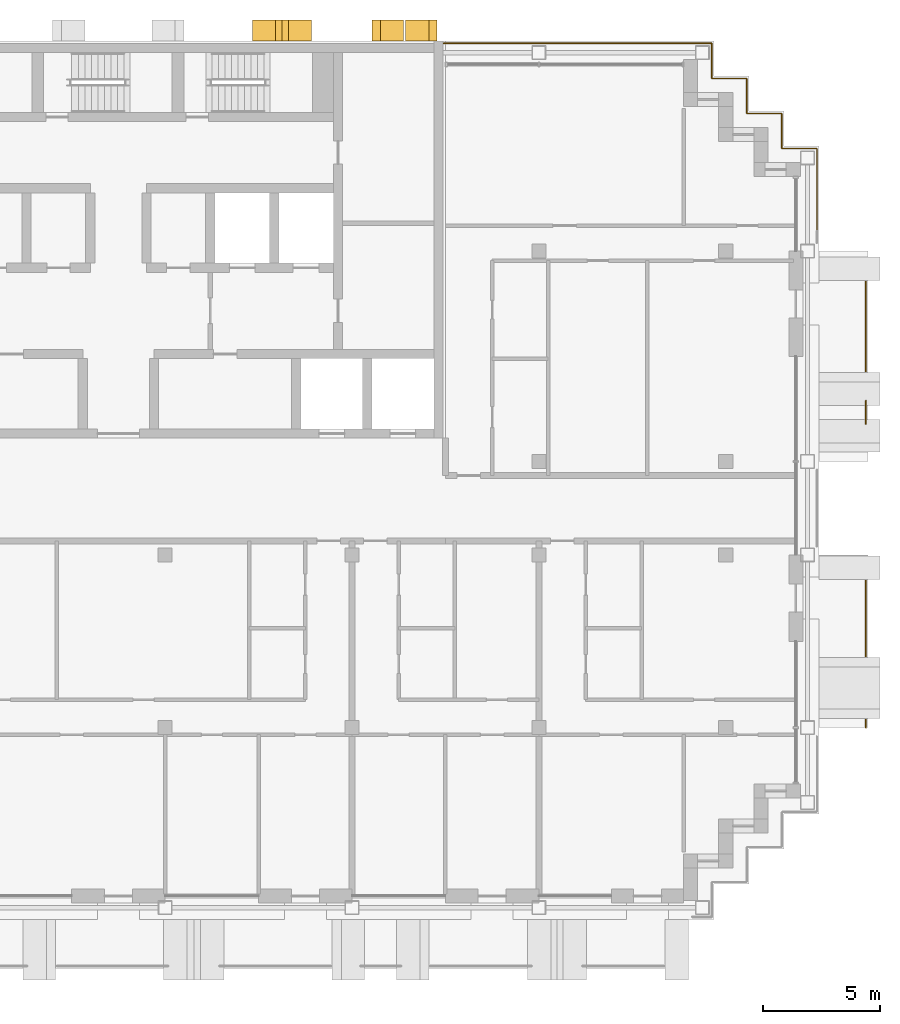
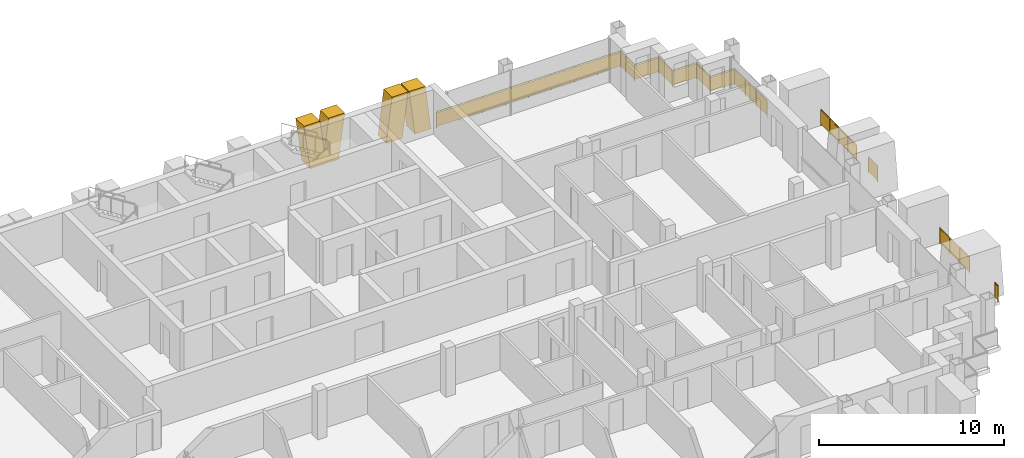
# One storey, part 15 of 15: 6 railings, 3 shading devices.
"""IFC4 building model written with IfcOpenShell, lengths in metres."""

from ifc_helpers import new_model, si_unit, direction, frame, origin, origin_2d, place, context, subcontext, project, spatial, polyline, rectangle, circle, outline, extrude, material, layer, layer_set, type_object, element, save


model = new_model("IFC4")

# Units and contexts
model_context = context("Model", 3, precision=1e-05, world=origin(), true_north=direction((0.0, 1.0)))
body_context = subcontext(model_context, "Body", "Model", "MODEL_VIEW")
ifc_project = project(units=[si_unit("LENGTHUNIT", "METRE"), si_unit("AREAUNIT", "SQUARE_METRE"), si_unit("VOLUMEUNIT", "CUBIC_METRE"), si_unit("PLANEANGLEUNIT", "RADIAN"), si_unit("MASSUNIT", "GRAM", prefix="KILO")], contexts=[model_context])

# Site, building, storey
site_placement = place(None, origin())
site = spatial("IfcSite", under=ifc_project, at=site_placement, CompositionType="ELEMENT")
building_placement = place(site_placement, origin())
building = spatial("IfcBuilding", under=site, at=building_placement, Name="Vidyagriha Tower", CompositionType="ELEMENT")
storey_placement = place(building_placement, frame((0.0, 0.0, 210.800048828125)))
storey = spatial("IfcBuildingStorey", under=building, at=storey_placement, Name="L54", CompositionType="ELEMENT", Elevation=210.800048828125)

# Railings
ifc_material_1 = material(Name="Steel ASTM A500 Grade C black painted", Category="steel")
railing_type_1 = type_object("IfcRailingType", Name="Balcony guard 1100", PredefinedType="BALUSTRADE", material=ifc_material_1)
railing_1_placement = place(storey_placement, frame((32.0, -9.39990234375, 0.0)))
element("IfcRailing", 1, at=railing_1_placement, inside=storey, type_object=railing_type_1, Name="Balcony guard L54 R30.1-1", PredefinedType="BALUSTRADE", context=body_context, shape_type="SweptSolid", body=[
    extrude(circle(Radius=0.02490234375, at=origin_2d()), frame((0.0, 0.0, 1.0751953125), z_axis=(0.0, 1.0, 0.0), x_axis=(-1.0, 0.0, 0.0)), (0.0, 0.0, 1.0), 0.349853515625),
    extrude(circle(Radius=0.02001953125, at=origin_2d()), origin(), (0.0, 0.0, 1.0), 1.050048828125),
    extrude(circle(Radius=0.02001953125, at=origin_2d()), frame((0.0, 0.349853515625, 0.0)), (0.0, 0.0, 1.0), 1.050048828125),
    extrude(rectangle(XDim=0.010009765625, YDim=0.900146484375, at=origin_2d()), frame((0.0, 0.0, 0.550048828125), z_axis=(0.0, 1.0, 0.0), x_axis=(-1.0, 0.0, 0.0)), (0.0, 0.0, 1.0), 0.349853515625),
])
railing_2_placement = place(storey_placement, frame((32.0, -6.35009765625, 0.0)))
element("IfcRailing", 2, at=railing_2_placement, inside=storey, type_object=railing_type_1, Name="Balcony guard L54 R30.1-2", PredefinedType="BALUSTRADE", context=body_context, shape_type="SweptSolid", body=[
    extrude(circle(Radius=0.02490234375, at=origin_2d()), frame((0.0, 0.0, 1.0751953125), z_axis=(0.0, 1.0, 0.0), x_axis=(-1.0, 0.0, 0.0)), (0.0, 0.0, 1.0), 3.25),
    extrude(circle(Radius=0.02001953125, at=origin_2d()), origin(), (0.0, 0.0, 1.0), 1.050048828125),
    extrude(circle(Radius=0.02001953125, at=origin_2d()), frame((0.0, 1.083251953125, 0.0)), (0.0, 0.0, 1.0), 1.050048828125),
    extrude(circle(Radius=0.02001953125, at=origin_2d()), frame((0.0, 2.166748046875, 0.0)), (0.0, 0.0, 1.0), 1.050048828125),
    extrude(circle(Radius=0.02001953125, at=origin_2d()), frame((0.0, 3.25, 0.0)), (0.0, 0.0, 1.0), 1.050048828125),
    extrude(rectangle(XDim=0.010009765625, YDim=0.900146484375, at=origin_2d()), frame((0.0, 0.0, 0.550048828125), z_axis=(0.0, 1.0, 0.0), x_axis=(-1.0, 0.0, 0.0)), (0.0, 0.0, 1.0), 3.25),
])
railing_3_placement = place(storey_placement, frame((32.0, 3.603271484375, 0.0)))
element("IfcRailing", 3, at=railing_3_placement, inside=storey, type_object=railing_type_1, Name="Balcony guard L54 R30.2-1", PredefinedType="BALUSTRADE", context=body_context, shape_type="SweptSolid", body=[
    extrude(circle(Radius=0.02490234375, at=origin_2d()), frame((0.0, 0.0, 1.0751953125), z_axis=(0.0, 1.0, 0.0), x_axis=(-1.0, 0.0, 0.0)), (0.0, 0.0, 1.0), 0.993408203125),
    extrude(circle(Radius=0.02001953125, at=origin_2d()), origin(), (0.0, 0.0, 1.0), 1.050048828125),
    extrude(circle(Radius=0.02001953125, at=origin_2d()), frame((0.0, 0.993408203125, 0.0)), (0.0, 0.0, 1.0), 1.050048828125),
    extrude(rectangle(XDim=0.010009765625, YDim=0.900146484375, at=origin_2d()), frame((0.0, 0.0, 0.550048828125), z_axis=(0.0, 1.0, 0.0), x_axis=(-1.0, 0.0, 0.0)), (0.0, 0.0, 1.0), 0.993408203125),
])
railing_4_placement = place(storey_placement, frame((32.0, 5.85009765625, 0.0)))
element("IfcRailing", 4, at=railing_4_placement, inside=storey, type_object=railing_type_1, Name="Balcony guard L54 R30.2-2", PredefinedType="BALUSTRADE", context=body_context, shape_type="SweptSolid", body=[
    extrude(circle(Radius=0.02490234375, at=origin_2d()), frame((0.0, 0.0, 1.0751953125), z_axis=(0.0, 1.0, 0.0), x_axis=(-1.0, 0.0, 0.0)), (0.0, 0.0, 1.0), 3.849853515625),
    extrude(circle(Radius=0.02001953125, at=origin_2d()), origin(), (0.0, 0.0, 1.0), 1.050048828125),
    extrude(circle(Radius=0.02001953125, at=origin_2d()), frame((0.0, 0.96240234375, 0.0)), (0.0, 0.0, 1.0), 1.050048828125),
    extrude(circle(Radius=0.02001953125, at=origin_2d()), frame((0.0, 1.9248046875, 0.0)), (0.0, 0.0, 1.0), 1.050048828125),
    extrude(circle(Radius=0.02001953125, at=origin_2d()), frame((0.0, 2.887451171875, 0.0)), (0.0, 0.0, 1.0), 1.050048828125),
    extrude(circle(Radius=0.02001953125, at=origin_2d()), frame((0.0, 3.849853515625, 0.0)), (0.0, 0.0, 1.0), 1.050048828125),
    extrude(rectangle(XDim=0.010009765625, YDim=0.900146484375, at=origin_2d()), frame((0.0, 0.0, 0.550048828125), z_axis=(0.0, 1.0, 0.0), x_axis=(-1.0, 0.0, 0.0)), (0.0, 0.0, 1.0), 3.849853515625),
])

# Shading devices
ifc_material_2 = material(Name="Precast concrete C40/50 with brick facing", Category="concrete")
ifc_layer_1 = layer(ifc_material_2, 1.0)
ifc_layer_set_1 = layer_set([ifc_layer_1], Name="Precast concrete C40/50 with brick facing")
shading_device_type_1 = type_object("IfcShadingDeviceType", Name="Brick-faced rear rib arm leaning 8 degrees", PredefinedType="USERDEFINED", material=ifc_layer_set_1)
shading_device_1_placement = place(storey_placement, frame((13.642822265625, 20.449951171875, 0.0), z_axis=(0.0, 0.0, 1.0), x_axis=(-1.0, 0.0, 0.0)))
element("IfcShadingDevice", 5, at=shading_device_1_placement, inside=storey, type_object=shading_device_type_1, Name="Rear rib arm L54 R08.1a", ObjectType="BLADE FIN", PredefinedType="USERDEFINED", context=body_context, shape_type="SweptSolid", body=[
    extrude(outline(polyline([(0.0, 0.0), (1.0, 0.0), (1.357177734375, 2.919921875), (0.357177734375, 2.919921875), (0.0, 0.0)])), frame((0.0, 0.449951171875, 0.0), z_axis=(0.0, -1.0, 0.0), x_axis=(1.0, 0.0, 0.0)), (0.0, 0.0, 1.0), 0.89990234375),
])
shading_device_2_placement = place(storey_placement, frame((12.21435546875, 20.449951171875, 0.0), z_axis=(0.0, 0.0, 1.0), x_axis=(-1.0, 0.0, 0.0)))
element("IfcShadingDevice", 6, at=shading_device_2_placement, inside=storey, type_object=shading_device_type_1, Name="Rear rib arm L54 R08.1b", ObjectType="BLADE FIN", PredefinedType="USERDEFINED", context=body_context, shape_type="SweptSolid", body=[
    extrude(outline(polyline([(0.357177734375, 0.0), (1.357177734375, 0.0), (1.0, 2.919921875), (0.0, 2.919921875), (0.357177734375, 0.0)])), frame((0.0, 0.449951171875, 0.0), z_axis=(0.0, -1.0, 0.0), x_axis=(1.0, 0.0, 0.0)), (0.0, 0.0, 1.0), 0.89990234375),
])
ifc_material_3 = material(Name="Precast concrete C40/50 with brick facing", Category="concrete")
ifc_layer_2 = layer(ifc_material_3, 1.0)
ifc_layer_set_2 = layer_set([ifc_layer_2], Name="Precast concrete C40/50 with brick facing")
shading_device_type_2 = type_object("IfcShadingDeviceType", Name="Brick-faced rear rib forking 8 degrees", PredefinedType="USERDEFINED", material=ifc_layer_set_2)
shading_device_3_placement = place(storey_placement, frame((8.271484375, 20.449951171875, 0.0), z_axis=(0.0, 0.0, 1.0), x_axis=(-1.0, 0.0, 0.0)))
element("IfcShadingDevice", 7, at=shading_device_3_placement, inside=storey, type_object=shading_device_type_2, Name="Rear rib fork L54 R08.2a", ObjectType="BLADE FIN", PredefinedType="USERDEFINED", context=body_context, shape_type="SweptSolid", body=[
    extrude(outline(polyline([(0.3857421875, 0.0), (2.156982421875, 0.0), (2.542724609375, 2.919921875), (1.542724609375, 2.919921875), (1.271484375, 0.865234375), (1.0, 2.919921875), (0.0, 2.919921875), (0.3857421875, 0.0)])), frame((0.0, 0.449951171875, 0.0), z_axis=(0.0, -1.0, 0.0), x_axis=(1.0, 0.0, 0.0)), (0.0, 0.0, 1.0), 0.89990234375),
])

# Railings
ifc_material_4 = material(Name="Steel ASTM A500 Grade C black painted", Category="steel")
railing_type_2 = type_object("IfcRailingType", Name="Gallery guard 1100", PredefinedType="GUARDRAIL", material=ifc_material_4)
railing_5_placement = place(storey_placement, frame((13.929931640625, 19.89990234375, 0.0)))
element("IfcRailing", 8, at=railing_5_placement, inside=storey, type_object=railing_type_2, Name="Gallery guard L54 7", PredefinedType="GUARDRAIL", context=body_context, shape_type="SweptSolid", body=[
    extrude(circle(Radius=0.02490234375, at=origin_2d()), frame((0.0, 0.0, 1.0751953125), z_axis=(1.0, 0.0, 0.0), x_axis=(0.0, 1.0, 0.0)), (0.0, 0.0, 1.0), 11.469970703125),
    extrude(circle(Radius=0.02490234375, at=origin_2d()), frame((11.469970703125, 0.0, 1.0751953125), z_axis=(0.0, -1.0, 0.0), x_axis=(1.0, 0.0, 0.0)), (0.0, 0.0, 1.0), 0.52978515625),
    extrude(circle(Radius=0.02001953125, at=origin_2d()), origin(), (0.0, 0.0, 1.0), 1.050048828125),
    extrude(circle(Radius=0.02001953125, at=origin_2d()), frame((1.433837890625, 0.0, 0.0)), (0.0, 0.0, 1.0), 1.050048828125),
    extrude(circle(Radius=0.02001953125, at=origin_2d()), frame((2.867431640625, 0.0, 0.0)), (0.0, 0.0, 1.0), 1.050048828125),
    extrude(circle(Radius=0.02001953125, at=origin_2d()), frame((4.30126953125, 0.0, 0.0)), (0.0, 0.0, 1.0), 1.050048828125),
    extrude(circle(Radius=0.02001953125, at=origin_2d()), frame((5.73486328125, 0.0, 0.0)), (0.0, 0.0, 1.0), 1.050048828125),
    extrude(circle(Radius=0.02001953125, at=origin_2d()), frame((7.168701171875, 0.0, 0.0)), (0.0, 0.0, 1.0), 1.050048828125),
    extrude(circle(Radius=0.02001953125, at=origin_2d()), frame((8.6025390625, 0.0, 0.0)), (0.0, 0.0, 1.0), 1.050048828125),
    extrude(circle(Radius=0.02001953125, at=origin_2d()), frame((10.0361328125, 0.0, 0.0)), (0.0, 0.0, 1.0), 1.050048828125),
    extrude(circle(Radius=0.02001953125, at=origin_2d()), frame((11.469970703125, 0.0, 0.0)), (0.0, 0.0, 1.0), 1.050048828125),
    extrude(circle(Radius=0.02001953125, at=origin_2d()), frame((11.469970703125, -0.52978515625, 0.0)), (0.0, 0.0, 1.0), 1.050048828125),
    extrude(rectangle(XDim=0.010009765625, YDim=0.900146484375, at=origin_2d()), frame((0.0, 0.0, 0.550048828125), z_axis=(1.0, 0.0, 0.0), x_axis=(0.0, 1.0, 0.0)), (0.0, 0.0, 1.0), 11.469970703125),
    extrude(rectangle(XDim=0.010009765625, YDim=0.900146484375, at=origin_2d()), frame((11.469970703125, 0.0, 0.550048828125), z_axis=(0.0, -1.0, 0.0), x_axis=(1.0, 0.0, 0.0)), (0.0, 0.0, 1.0), 0.52978515625),
])
railing_6_placement = place(storey_placement, frame((25.39990234375, 19.3701171875, 0.0)))
element("IfcRailing", 9, at=railing_6_placement, inside=storey, type_object=railing_type_2, Name="Gallery guard L54 8", PredefinedType="GUARDRAIL", context=body_context, shape_type="SweptSolid", body=[
    extrude(circle(Radius=0.02490234375, at=origin_2d()), frame((0.0, 0.0, 1.0751953125), z_axis=(0.0, -1.0, 0.0), x_axis=(1.0, 0.0, 0.0)), (0.0, 0.0, 1.0), 0.97021484375),
    extrude(circle(Radius=0.02490234375, at=origin_2d()), frame((0.0, -0.97021484375, 1.0751953125), z_axis=(1.0, 0.0, 0.0), x_axis=(0.0, 1.0, 0.0)), (0.0, 0.0, 1.0), 1.5),
    extrude(circle(Radius=0.02490234375, at=origin_2d()), frame((1.5, -0.97021484375, 1.0751953125), z_axis=(0.0, -1.0, 0.0), x_axis=(1.0, 0.0, 0.0)), (0.0, 0.0, 1.0), 1.5),
    extrude(circle(Radius=0.02490234375, at=origin_2d()), frame((1.5, -2.47021484375, 1.0751953125), z_axis=(1.0, 0.0, 0.0), x_axis=(0.0, 1.0, 0.0)), (0.0, 0.0, 1.0), 1.5),
    extrude(circle(Radius=0.02490234375, at=origin_2d()), frame((3.0, -2.47021484375, 1.0751953125), z_axis=(0.0, -1.0, 0.0), x_axis=(1.0, 0.0, 0.0)), (0.0, 0.0, 1.0), 1.5),
    extrude(circle(Radius=0.02490234375, at=origin_2d()), frame((3.0, -3.97021484375, 1.0751953125), z_axis=(1.0, 0.0, 0.0), x_axis=(0.0, 1.0, 0.0)), (0.0, 0.0, 1.0), 1.5),
    extrude(circle(Radius=0.02490234375, at=origin_2d()), frame((4.5, -3.97021484375, 1.0751953125), z_axis=(0.0, -1.0, 0.0), x_axis=(1.0, 0.0, 0.0)), (0.0, 0.0, 1.0), 3.52978515625),
    extrude(circle(Radius=0.02001953125, at=origin_2d()), origin(), (0.0, 0.0, 1.0), 1.050048828125),
    extrude(circle(Radius=0.02001953125, at=origin_2d()), frame((0.0, -0.97021484375, 0.0)), (0.0, 0.0, 1.0), 1.050048828125),
    extrude(circle(Radius=0.02001953125, at=origin_2d()), frame((1.5, -0.97021484375, 0.0)), (0.0, 0.0, 1.0), 1.050048828125),
    extrude(circle(Radius=0.02001953125, at=origin_2d()), frame((1.5, -2.47021484375, 0.0)), (0.0, 0.0, 1.0), 1.050048828125),
    extrude(circle(Radius=0.02001953125, at=origin_2d()), frame((3.0, -2.47021484375, 0.0)), (0.0, 0.0, 1.0), 1.050048828125),
    extrude(circle(Radius=0.02001953125, at=origin_2d()), frame((3.0, -3.97021484375, 0.0)), (0.0, 0.0, 1.0), 1.050048828125),
    extrude(circle(Radius=0.02001953125, at=origin_2d()), frame((4.5, -3.97021484375, 0.0)), (0.0, 0.0, 1.0), 1.050048828125),
    extrude(circle(Radius=0.02001953125, at=origin_2d()), frame((4.5, -5.146728515625, 0.0)), (0.0, 0.0, 1.0), 1.050048828125),
    extrude(circle(Radius=0.02001953125, at=origin_2d()), frame((4.5, -6.323486328125, 0.0)), (0.0, 0.0, 1.0), 1.050048828125),
    extrude(circle(Radius=0.02001953125, at=origin_2d()), frame((4.5, -7.5, 0.0)), (0.0, 0.0, 1.0), 1.050048828125),
    extrude(rectangle(XDim=0.010009765625, YDim=0.900146484375, at=origin_2d()), frame((0.0, 0.0, 0.550048828125), z_axis=(0.0, -1.0, 0.0), x_axis=(1.0, 0.0, 0.0)), (0.0, 0.0, 1.0), 0.97021484375),
    extrude(rectangle(XDim=0.010009765625, YDim=0.900146484375, at=origin_2d()), frame((0.0, -0.97021484375, 0.550048828125), z_axis=(1.0, 0.0, 0.0), x_axis=(0.0, 1.0, 0.0)), (0.0, 0.0, 1.0), 1.5),
    extrude(rectangle(XDim=0.010009765625, YDim=0.900146484375, at=origin_2d()), frame((1.5, -0.97021484375, 0.550048828125), z_axis=(0.0, -1.0, 0.0), x_axis=(1.0, 0.0, 0.0)), (0.0, 0.0, 1.0), 1.5),
    extrude(rectangle(XDim=0.010009765625, YDim=0.900146484375, at=origin_2d()), frame((1.5, -2.47021484375, 0.550048828125), z_axis=(1.0, 0.0, 0.0), x_axis=(0.0, 1.0, 0.0)), (0.0, 0.0, 1.0), 1.5),
    extrude(rectangle(XDim=0.010009765625, YDim=0.900146484375, at=origin_2d()), frame((3.0, -2.47021484375, 0.550048828125), z_axis=(0.0, -1.0, 0.0), x_axis=(1.0, 0.0, 0.0)), (0.0, 0.0, 1.0), 1.5),
    extrude(rectangle(XDim=0.010009765625, YDim=0.900146484375, at=origin_2d()), frame((3.0, -3.97021484375, 0.550048828125), z_axis=(1.0, 0.0, 0.0), x_axis=(0.0, 1.0, 0.0)), (0.0, 0.0, 1.0), 1.5),
    extrude(rectangle(XDim=0.010009765625, YDim=0.900146484375, at=origin_2d()), frame((4.5, -3.97021484375, 0.550048828125), z_axis=(0.0, -1.0, 0.0), x_axis=(1.0, 0.0, 0.0)), (0.0, 0.0, 1.0), 3.52978515625),
])

save(model, "model.ifc")
